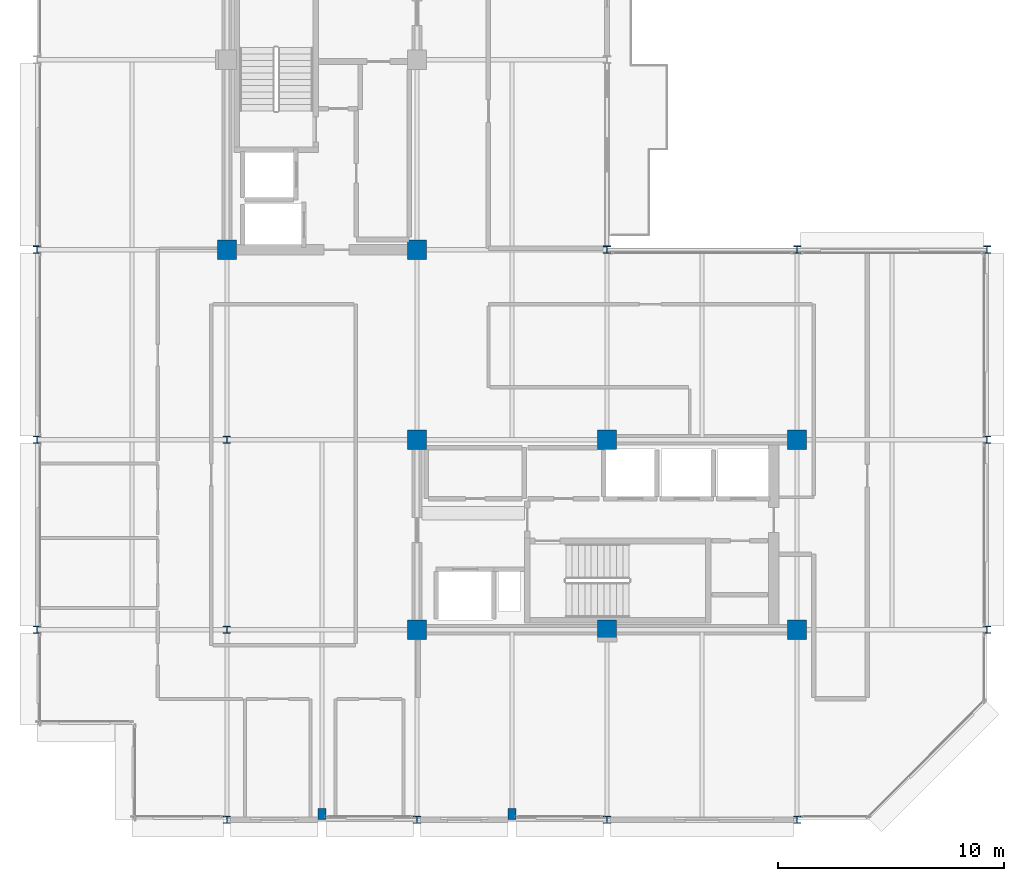
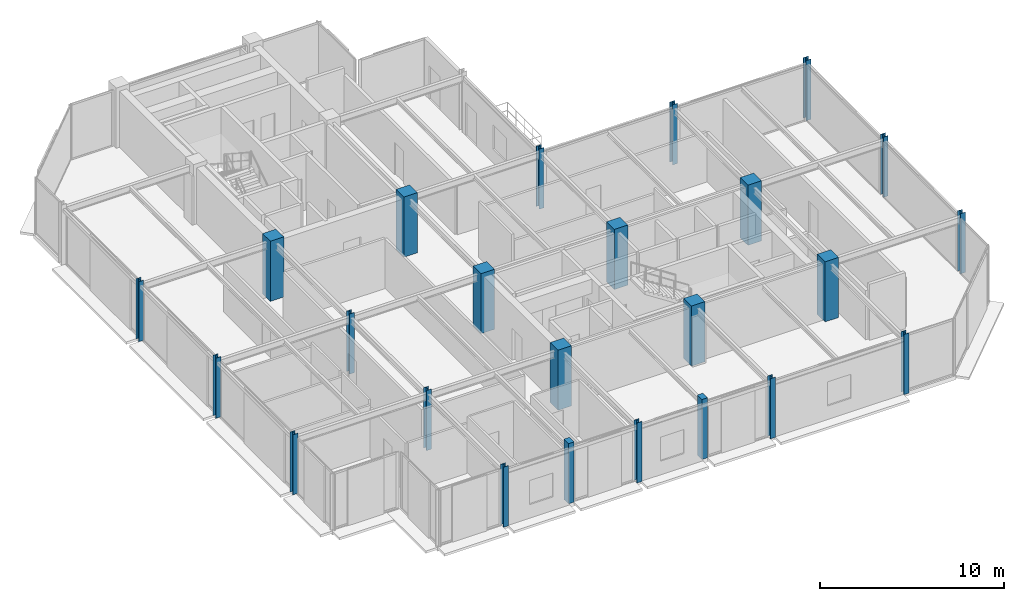
# One storey, part 1 of 27: 24 columns.
"""IFC4 building model written with IfcOpenShell, lengths in metres."""

from ifc_helpers import new_model, si_unit, direction, frame, origin, origin_2d, place, context, subcontext, project, spatial, rectangle, i_section, extrude, material, material_profile, profile_set, type_object, element, save


model = new_model("IFC4")

# Units and contexts
model_context = context("Model", 3, precision=1e-05, world=origin(), true_north=direction((0.0, 1.0)))
body_context = subcontext(model_context, "Body", "Model", "MODEL_VIEW")
ifc_project = project(units=[si_unit("LENGTHUNIT", "METRE"), si_unit("AREAUNIT", "SQUARE_METRE"), si_unit("VOLUMEUNIT", "CUBIC_METRE"), si_unit("PLANEANGLEUNIT", "RADIAN"), si_unit("MASSUNIT", "GRAM", prefix="KILO")], contexts=[model_context])

# Site, building, storey
site_placement = place(None, origin())
site = spatial("IfcSite", under=ifc_project, at=site_placement, CompositionType="ELEMENT")
building_placement = place(site_placement, origin())
building = spatial("IfcBuilding", under=site, at=building_placement, Name="Nerrivon Quay Data Exchange", CompositionType="ELEMENT")
storey_placement = place(building_placement, frame((0.0, 0.0, 278.199951171875)))
storey = spatial("IfcBuildingStorey", under=building, at=storey_placement, Name="L66", CompositionType="ELEMENT", Elevation=278.199951171875)

# Columns
ifc_material_1 = material(Name="Concrete N50 (50 MPa)", Category="concrete")
ifc_material_profile_1 = material_profile(ifc_material_1, rectangle(XDim=0.85009765625, YDim=0.85009765625, at=origin_2d()), Name="RC-COL-850x850")
ifc_profile_set_1 = profile_set([ifc_material_profile_1], Name="Concrete N50 (50 MPa)")
column_type_1 = type_object("IfcColumnType", Name="COL-C5-850", PredefinedType="COLUMN", material=ifc_profile_set_1)
for number, where, z_axis, x_axis, name in (
    (1, (8.39990234375, 25.199951171875, 0.0), (0.0, 0.0, 1.0), (1.0, 0.0, 0.0), "L66 Column (8.4,25.2)"),
    (2, (16.800048828125, 8.39990234375, 0.0), (0.0, 0.0, 1.0), (1.0, 0.0, 0.0), "L66 Column (16.8,8.4)"),
    (3, (16.800048828125, 16.800048828125, 0.0), (0.0, 0.0, 1.0), (1.0, 0.0, 0.0), "L66 Column (16.8,16.8)"),
    (4, (16.800048828125, 25.199951171875, 0.0), (0.0, 0.0, 1.0), (1.0, 0.0, 0.0), "L66 Column (16.8,25.2)"),
    (5, (25.199951171875, 8.39990234375, 0.0), (0.0, 0.0, 1.0), (1.0, 0.0, 0.0), "L66 Column (25.2,8.4)"),
    (6, (25.199951171875, 16.800048828125, 0.0), (0.0, 0.0, 1.0), (1.0, 0.0, 0.0), "L66 Column (25.2,16.8)"),
    (7, (33.60009765625, 8.39990234375, 0.0), (0.0, 0.0, 1.0), (1.0, 0.0, 0.0), "L66 Column (33.6,8.4)"),
    (8, (33.60009765625, 16.800048828125, 0.0), (0.0, 0.0, 1.0), (1.0, 0.0, 0.0), "L66 Column (33.6,16.8)"),
):
    element("IfcColumn", number, at=place(storey_placement, frame(where, z_axis=z_axis, x_axis=x_axis)), inside=storey, type_object=column_type_1, Name=name, PredefinedType="COLUMN", context=body_context, shape_type="SweptSolid", body=[
        extrude(rectangle(XDim=0.85009765625, YDim=0.85009765625, at=origin_2d()), origin(), (0.0, 0.0, 1.0), 4.0),
    ])
ifc_material_2 = material(Name="Steel Grade 350", Category="steel")
ifc_material_profile_2 = material_profile(ifc_material_2, i_section(OverallWidth=0.31103515625, OverallDepth=0.326904296875, WebThickness=0.015625, FlangeThickness=0.02490234375, FilletRadius=0.0166015625, at=origin_2d()), Name="310UC158")
ifc_profile_set_2 = profile_set([ifc_material_profile_2], Name="Steel Grade 350")
column_type_2 = type_object("IfcColumnType", Name="COL-SC4-310UC158", PredefinedType="COLUMN", material=ifc_profile_set_2)
for number, where, z_axis, x_axis, name in (
    (9, (0.0, 8.39990234375, 0.0), (0.0, 0.0, 1.0), (1.0, 0.0, 0.0), "L66 Column (0.0,8.4)"),
    (10, (0.0, 16.800048828125, 0.0), (0.0, 0.0, 1.0), (1.0, 0.0, 0.0), "L66 Column (0.0,16.8)"),
    (11, (0.0, 25.199951171875, 0.0), (0.0, 0.0, 1.0), (1.0, 0.0, 0.0), "L66 Column (0.0,25.2)"),
    (12, (8.39990234375, 0.0, 0.0), (0.0, 0.0, 1.0), (1.0, 0.0, 0.0), "L66 Column (8.4,0.0)"),
    (13, (8.39990234375, 8.39990234375, 0.0), (0.0, 0.0, 1.0), (1.0, 0.0, 0.0), "L66 Column (8.4,8.4)"),
    (14, (8.39990234375, 16.800048828125, 0.0), (0.0, 0.0, 1.0), (1.0, 0.0, 0.0), "L66 Column (8.4,16.8)"),
    (15, (16.800048828125, 0.0, 0.0), (0.0, 0.0, 1.0), (1.0, 0.0, 0.0), "L66 Column (16.8,0.0)"),
    (16, (25.199951171875, 0.0, 0.0), (0.0, 0.0, 1.0), (1.0, 0.0, 0.0), "L66 Column (25.2,0.0)"),
    (17, (25.199951171875, 25.199951171875, 0.0), (0.0, 0.0, 1.0), (1.0, 0.0, 0.0), "L66 Column (25.2,25.2)"),
    (18, (33.60009765625, 0.0, 0.0), (0.0, 0.0, 1.0), (1.0, 0.0, 0.0), "L66 Column (33.6,0.0)"),
    (19, (33.60009765625, 25.199951171875, 0.0), (0.0, 0.0, 1.0), (1.0, 0.0, 0.0), "L66 Column (33.6,25.2)"),
    (20, (42.0, 8.39990234375, 0.0), (0.0, 0.0, 1.0), (1.0, 0.0, 0.0), "L66 Column (42.0,8.4)"),
    (21, (42.0, 16.800048828125, 0.0), (0.0, 0.0, 1.0), (1.0, 0.0, 0.0), "L66 Column (42.0,16.8)"),
    (22, (42.0, 25.199951171875, 0.0), (0.0, 0.0, 1.0), (1.0, 0.0, 0.0), "L66 Column (42.0,25.2)"),
):
    element("IfcColumn", number, at=place(storey_placement, frame(where, z_axis=z_axis, x_axis=x_axis)), inside=storey, type_object=column_type_2, Name=name, PredefinedType="COLUMN", context=body_context, shape_type="SweptSolid", body=[
        extrude(i_section(OverallWidth=0.31103515625, OverallDepth=0.326904296875, WebThickness=0.015625, FlangeThickness=0.02490234375, FilletRadius=0.0166015625, at=origin_2d()), origin(), (0.0, 0.0, 1.0), 4.0),
    ])
ifc_material_profile_3 = material_profile(ifc_material_1, rectangle(XDim=0.35009765625, YDim=0.5, at=origin_2d()), Name="RC-PIL-500x350")
ifc_profile_set_3 = profile_set([ifc_material_profile_3], Name="Concrete N50 (50 MPa)")
column_type_3 = type_object("IfcColumnType", Name="PIL-P2-500x350", PredefinedType="PILASTER", material=ifc_profile_set_3)
for number, where, z_axis, x_axis, name in (
    (23, (12.60009765625, 0.25, 0.0), (0.0, 0.0, 1.0), (1.0, 0.0, 0.0), "L66 Facade Pilaster (12.6)"),
    (24, (21.0, 0.25, 0.0), (0.0, 0.0, 1.0), (1.0, 0.0, 0.0), "L66 Facade Pilaster (21.0)"),
):
    element("IfcColumn", number, at=place(storey_placement, frame(where, z_axis=z_axis, x_axis=x_axis)), inside=storey, type_object=column_type_3, Name=name, PredefinedType="PILASTER", context=body_context, shape_type="SweptSolid", body=[
        extrude(rectangle(XDim=0.35009765625, YDim=0.5, at=origin_2d()), origin(), (0.0, 0.0, 1.0), 4.0),
    ])

save(model, "model.ifc")
